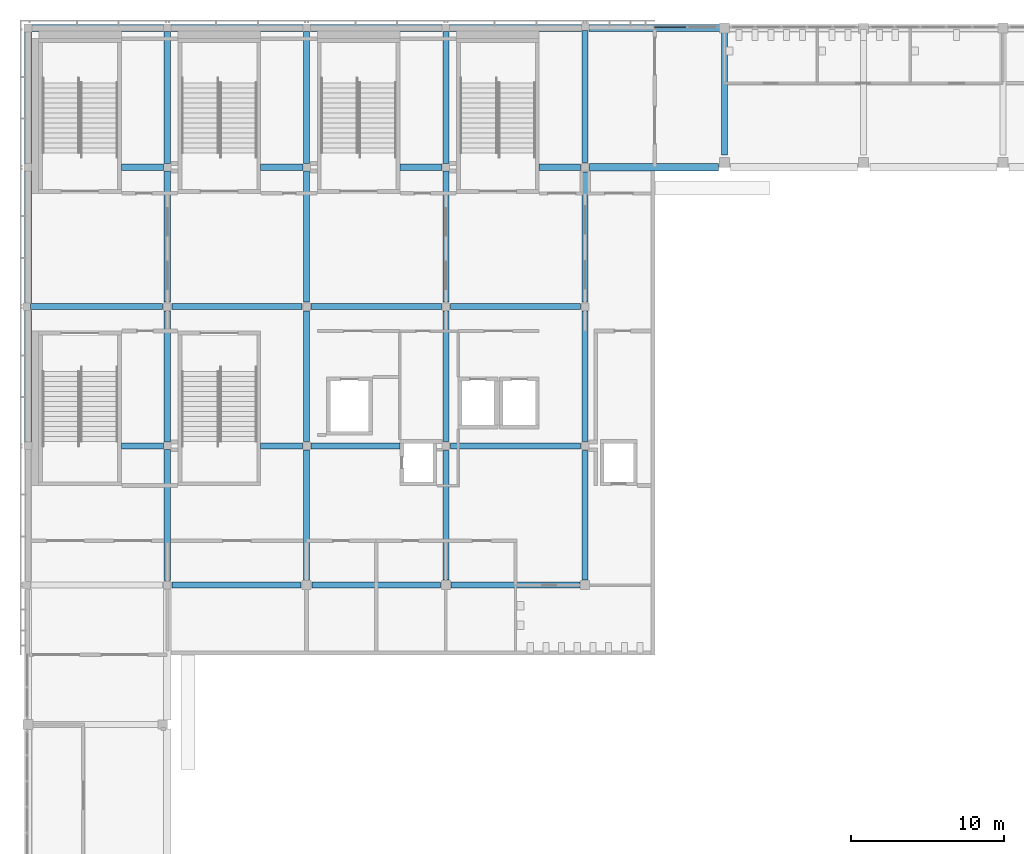
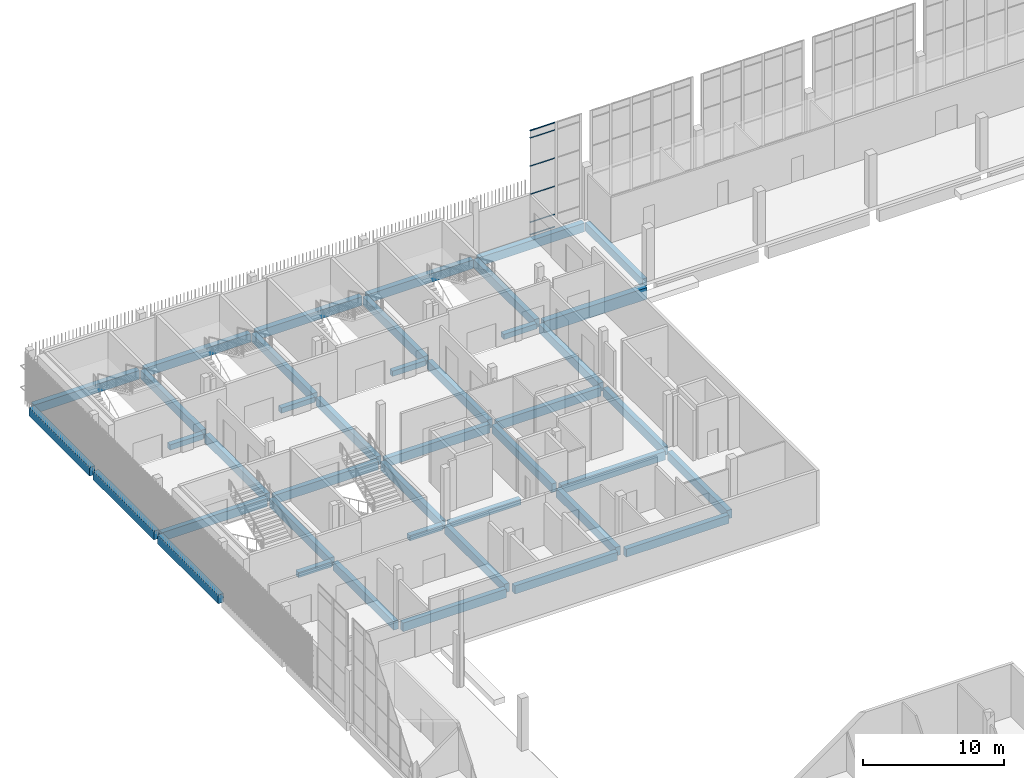
# One storey, part 17 of 91: 41 beams, 6 members, 1 element without a shape of its own.
"""IFC4 building model written with IfcOpenShell, lengths in metres."""

from ifc_helpers import new_model, si_unit, direction, frame, origin, origin_2d, place, context, subcontext, project, spatial, rectangle, hollow_rectangle, extrude, material, layer, layer_set, material_profile, profile_set, type_object, element, aggregate, save


model = new_model("IFC4")

# Units and contexts
model_context = context("Model", 3, precision=1e-05, world=origin(), true_north=direction((0.0, 1.0)))
body_context = subcontext(model_context, "Body", "Model", "MODEL_VIEW")
ifc_project = project(units=[si_unit("LENGTHUNIT", "METRE"), si_unit("AREAUNIT", "SQUARE_METRE"), si_unit("VOLUMEUNIT", "CUBIC_METRE"), si_unit("PLANEANGLEUNIT", "RADIAN"), si_unit("MASSUNIT", "GRAM", prefix="KILO")], contexts=[model_context])

# Site, building, storey
site_placement = place(None, origin())
site = spatial("IfcSite", under=ifc_project, at=site_placement, CompositionType="ELEMENT")
building_placement = place(site_placement, origin())
building = spatial("IfcBuilding", under=site, at=building_placement, Name="Shirokan Park Arena", CompositionType="ELEMENT")
storey_placement = place(building_placement, frame((0.0, 0.0, 24.570068359375)))
storey = spatial("IfcBuildingStorey", under=building, at=storey_placement, Name="L05", CompositionType="ELEMENT", Elevation=24.570068359375)

# Beams
ifc_material_1 = material(Name="Concrete C35", Category="concrete")
ifc_material_profile_1 = material_profile(ifc_material_1, rectangle(XDim=0.39990234375, YDim=0.5, at=origin_2d()), Name="400x500")
ifc_profile_set_1 = profile_set([ifc_material_profile_1], Name="Concrete C35")
beam_type_1 = type_object("IfcBeamType", Name="RC girder 400x500", PredefinedType="BEAM", material=ifc_profile_set_1)
beam_1_placement = place(storey_placement, frame((18.47509765625, 81.89990234375, -0.550048828125), z_axis=(1.0, 0.0, 0.0), x_axis=(0.0, 1.0, 0.0)))
element("IfcBeam", 1, at=beam_1_placement, inside=storey, type_object=beam_type_1, Name="Girder 3K-4K L05", PredefinedType="BEAM", context=body_context, shape_type="SweptSolid", body=[
    extrude(rectangle(XDim=0.39990234375, YDim=0.5, at=origin_2d()), origin(), (0.0, 0.0, 1.0), 5.824951171875),
])
ifc_material_profile_2 = material_profile(ifc_material_1, rectangle(XDim=0.39990234375, YDim=0.699951171875, at=origin_2d()), Name="400x700")
ifc_profile_set_2 = profile_set([ifc_material_profile_2], Name="Concrete C35")
beam_type_2 = type_object("IfcBeamType", Name="RC girder 400x700", PredefinedType="BEAM", material=ifc_profile_set_2)
beam_2_placement = place(storey_placement, frame((18.550048828125, 72.800048828125, -0.650146484375), z_axis=(1.0, 0.0, 0.0), x_axis=(0.0, 1.0, 0.0)))
element("IfcBeam", 2, at=beam_2_placement, inside=storey, type_object=beam_type_2, Name="Girder 3J-4J L05", PredefinedType="BEAM", context=body_context, shape_type="SweptSolid", body=[
    extrude(rectangle(XDim=0.39990234375, YDim=0.699951171875, at=origin_2d()), origin(), (0.0, 0.0, 1.0), 8.39990234375),
])
beam_3_placement = place(storey_placement, frame((27.650146484375, 72.800048828125, -0.650146484375), z_axis=(1.0, 0.0, 0.0), x_axis=(0.0, 1.0, 0.0)))
element("IfcBeam", 3, at=beam_3_placement, inside=storey, type_object=beam_type_2, Name="Girder 4J-5J L05", PredefinedType="BEAM", context=body_context, shape_type="SweptSolid", body=[
    extrude(rectangle(XDim=0.39990234375, YDim=0.699951171875, at=origin_2d()), origin(), (0.0, 0.0, 1.0), 8.399658203125),
])
beam_4_placement = place(storey_placement, frame((45.5, 100.900146484375, -0.650146484375), z_axis=(0.0, 1.0, 0.0), x_axis=(-1.0, 0.0, 0.0)))
element("IfcBeam", 4, at=beam_4_placement, inside=storey, type_object=beam_type_2, Name="Girder 6M-6N L05", PredefinedType="BEAM", context=body_context, shape_type="SweptSolid", body=[
    extrude(rectangle(XDim=0.39990234375, YDim=0.699951171875, at=origin_2d()), origin(), (0.0, 0.0, 1.0), 8.124755859375),
])
ifc_material_profile_3 = material_profile(ifc_material_1, rectangle(XDim=0.39990234375, YDim=0.75, at=origin_2d()), Name="400x750")
ifc_profile_set_3 = profile_set([ifc_material_profile_3], Name="Concrete C35")
beam_type_3 = type_object("IfcBeamType", Name="RC girder 400x750", PredefinedType="BEAM", material=ifc_profile_set_3)
beam_5_placement = place(storey_placement, frame((0.175048828125, 91.0, -0.675048828125), z_axis=(1.0, 0.0, 0.0), x_axis=(0.0, 1.0, 0.0)))
element("IfcBeam", 5, at=beam_5_placement, inside=storey, type_object=beam_type_3, Name="Girder 1L-2L L05", PredefinedType="BEAM", context=body_context, shape_type="SweptSolid", body=[
    extrude(rectangle(XDim=0.39990234375, YDim=0.75, at=origin_2d()), origin(), (0.0, 0.0, 1.0), 8.624755859375),
])
beam_6_placement = place(storey_placement, frame((9.400146484375, 72.800048828125, -0.675048828125), z_axis=(1.0, 0.0, 0.0), x_axis=(0.0, 1.0, 0.0)))
element("IfcBeam", 6, at=beam_6_placement, inside=storey, type_object=beam_type_3, Name="Girder 2J-3J L05", PredefinedType="BEAM", context=body_context, shape_type="SweptSolid", body=[
    extrude(rectangle(XDim=0.39990234375, YDim=0.75, at=origin_2d()), origin(), (0.0, 0.0, 1.0), 8.44970703125),
])
beam_7_placement = place(storey_placement, frame((9.400146484375, 91.0, -0.675048828125), z_axis=(1.0, 0.0, 0.0), x_axis=(0.0, 1.0, 0.0)))
element("IfcBeam", 7, at=beam_7_placement, inside=storey, type_object=beam_type_3, Name="Girder 2L-3L L05", PredefinedType="BEAM", context=body_context, shape_type="SweptSolid", body=[
    extrude(rectangle(XDim=0.39990234375, YDim=0.75, at=origin_2d()), origin(), (0.0, 0.0, 1.0), 8.499755859375),
])
beam_8_placement = place(storey_placement, frame((18.5, 91.0, -0.675048828125), z_axis=(1.0, 0.0, 0.0), x_axis=(0.0, 1.0, 0.0)))
element("IfcBeam", 8, at=beam_8_placement, inside=storey, type_object=beam_type_3, Name="Girder 3L-4L L05", PredefinedType="BEAM", context=body_context, shape_type="SweptSolid", body=[
    extrude(rectangle(XDim=0.39990234375, YDim=0.75, at=origin_2d()), origin(), (0.0, 0.0, 1.0), 8.5),
])
for number, where, z_axis, x_axis, name in (
    (9, (27.60009765625, 81.89990234375, -0.675048828125), (1.0, 0.0, 0.0), (0.0, 1.0, 0.0), "Girder 4K-5K L05"),
    (10, (27.60009765625, 91.0, -0.675048828125), (1.0, 0.0, 0.0), (0.0, 1.0, 0.0), "Girder 4L-5L L05"),
):
    element("IfcBeam", number, at=place(storey_placement, frame(where, z_axis=z_axis, x_axis=x_axis)), inside=storey, type_object=beam_type_3, Name=name, PredefinedType="BEAM", context=body_context, shape_type="SweptSolid", body=[
        extrude(rectangle(XDim=0.39990234375, YDim=0.75, at=origin_2d()), origin(), (0.0, 0.0, 1.0), 8.499755859375),
    ])
for number, where, z_axis, x_axis, name in (
    (11, (9.10009765625, 73.10009765625, -0.675048828125), (0.0, 1.0, 0.0), (-1.0, 0.0, 0.0), "Girder 2J-2K L05"),
    (12, (9.10009765625, 82.150146484375, -0.675048828125), (0.0, 1.0, 0.0), (-1.0, 0.0, 0.0), "Girder 2K-2L L05"),
    (13, (9.10009765625, 91.300048828125, -0.675048828125), (0.0, 1.0, 0.0), (-1.0, 0.0, 0.0), "Girder 2L-2M L05"),
):
    element("IfcBeam", number, at=place(storey_placement, frame(where, z_axis=z_axis, x_axis=x_axis)), inside=storey, type_object=beam_type_3, Name=name, PredefinedType="BEAM", context=body_context, shape_type="SweptSolid", body=[
        extrude(rectangle(XDim=0.39990234375, YDim=0.75, at=origin_2d()), origin(), (0.0, 0.0, 1.0), 8.5498046875),
    ])
beam_9_placement = place(storey_placement, frame((9.10009765625, 100.35009765625, -0.675048828125), z_axis=(0.0, 1.0, 0.0), x_axis=(-1.0, 0.0, 0.0)))
element("IfcBeam", 14, at=beam_9_placement, inside=storey, type_object=beam_type_3, Name="Girder 2M-2N L05", PredefinedType="BEAM", context=body_context, shape_type="SweptSolid", body=[
    extrude(rectangle(XDim=0.39990234375, YDim=0.75, at=origin_2d()), origin(), (0.0, 0.0, 1.0), 8.624755859375),
])
beam_10_placement = place(storey_placement, frame((18.199951171875, 73.150146484375, -0.675048828125), z_axis=(0.0, 1.0, 0.0), x_axis=(-1.0, 0.0, 0.0)))
element("IfcBeam", 15, at=beam_10_placement, inside=storey, type_object=beam_type_3, Name="Girder 3J-3K L05", PredefinedType="BEAM", context=body_context, shape_type="SweptSolid", body=[
    extrude(rectangle(XDim=0.39990234375, YDim=0.75, at=origin_2d()), origin(), (0.0, 0.0, 1.0), 8.474853515625),
])
beam_11_placement = place(storey_placement, frame((18.199951171875, 82.175048828125, -0.675048828125), z_axis=(0.0, 1.0, 0.0), x_axis=(-1.0, 0.0, 0.0)))
element("IfcBeam", 16, at=beam_11_placement, inside=storey, type_object=beam_type_3, Name="Girder 3K-3L L05", PredefinedType="BEAM", context=body_context, shape_type="SweptSolid", body=[
    extrude(rectangle(XDim=0.39990234375, YDim=0.75, at=origin_2d()), origin(), (0.0, 0.0, 1.0), 8.52490234375),
])
beam_12_placement = place(storey_placement, frame((18.199951171875, 91.300048828125, -0.675048828125), z_axis=(0.0, 1.0, 0.0), x_axis=(-1.0, 0.0, 0.0)))
element("IfcBeam", 17, at=beam_12_placement, inside=storey, type_object=beam_type_3, Name="Girder 3L-3M L05", PredefinedType="BEAM", context=body_context, shape_type="SweptSolid", body=[
    extrude(rectangle(XDim=0.39990234375, YDim=0.75, at=origin_2d()), origin(), (0.0, 0.0, 1.0), 8.5498046875),
])
beam_13_placement = place(storey_placement, frame((18.199951171875, 100.35009765625, -0.675048828125), z_axis=(0.0, 1.0, 0.0), x_axis=(-1.0, 0.0, 0.0)))
element("IfcBeam", 18, at=beam_13_placement, inside=storey, type_object=beam_type_3, Name="Girder 3M-3N L05", PredefinedType="BEAM", context=body_context, shape_type="SweptSolid", body=[
    extrude(rectangle(XDim=0.39990234375, YDim=0.75, at=origin_2d()), origin(), (0.0, 0.0, 1.0), 8.624755859375),
])
beam_14_placement = place(storey_placement, frame((27.300048828125, 73.150146484375, -0.675048828125), z_axis=(0.0, 1.0, 0.0), x_axis=(-1.0, 0.0, 0.0)))
element("IfcBeam", 19, at=beam_14_placement, inside=storey, type_object=beam_type_3, Name="Girder 4J-4K L05", PredefinedType="BEAM", context=body_context, shape_type="SweptSolid", body=[
    extrude(rectangle(XDim=0.39990234375, YDim=0.75, at=origin_2d()), origin(), (0.0, 0.0, 1.0), 8.44970703125),
])
beam_15_placement = place(storey_placement, frame((27.300048828125, 82.2001953125, -0.675048828125), z_axis=(0.0, 1.0, 0.0), x_axis=(-1.0, 0.0, 0.0)))
element("IfcBeam", 20, at=beam_15_placement, inside=storey, type_object=beam_type_3, Name="Girder 4K-4L L05", PredefinedType="BEAM", context=body_context, shape_type="SweptSolid", body=[
    extrude(rectangle(XDim=0.39990234375, YDim=0.75, at=origin_2d()), origin(), (0.0, 0.0, 1.0), 8.499755859375),
])
beam_16_placement = place(storey_placement, frame((27.300048828125, 91.300048828125, -0.675048828125), z_axis=(0.0, 1.0, 0.0), x_axis=(-1.0, 0.0, 0.0)))
element("IfcBeam", 21, at=beam_16_placement, inside=storey, type_object=beam_type_3, Name="Girder 4L-4M L05", PredefinedType="BEAM", context=body_context, shape_type="SweptSolid", body=[
    extrude(rectangle(XDim=0.39990234375, YDim=0.75, at=origin_2d()), origin(), (0.0, 0.0, 1.0), 8.5498046875),
])
beam_17_placement = place(storey_placement, frame((27.300048828125, 100.35009765625, -0.675048828125), z_axis=(0.0, 1.0, 0.0), x_axis=(-1.0, 0.0, 0.0)))
element("IfcBeam", 22, at=beam_17_placement, inside=storey, type_object=beam_type_3, Name="Girder 4M-4N L05", PredefinedType="BEAM", context=body_context, shape_type="SweptSolid", body=[
    extrude(rectangle(XDim=0.39990234375, YDim=0.75, at=origin_2d()), origin(), (0.0, 0.0, 1.0), 8.624755859375),
])
beam_18_placement = place(storey_placement, frame((36.39990234375, 73.150146484375, -0.675048828125), z_axis=(0.0, 1.0, 0.0), x_axis=(-1.0, 0.0, 0.0)))
element("IfcBeam", 23, at=beam_18_placement, inside=storey, type_object=beam_type_3, Name="Girder 5J-5K L05", PredefinedType="BEAM", context=body_context, shape_type="SweptSolid", body=[
    extrude(rectangle(XDim=0.39990234375, YDim=0.75, at=origin_2d()), origin(), (0.0, 0.0, 1.0), 8.44970703125),
])
for number, where, z_axis, x_axis, name in (
    (24, (36.39990234375, 82.2001953125, -0.675048828125), (0.0, 1.0, 0.0), (-1.0, 0.0, 0.0), "Girder 5K-5L L05"),
    (25, (36.39990234375, 91.300048828125, -0.675048828125), (0.0, 1.0, 0.0), (-1.0, 0.0, 0.0), "Girder 5L-5M L05"),
):
    element("IfcBeam", number, at=place(storey_placement, frame(where, z_axis=z_axis, x_axis=x_axis)), inside=storey, type_object=beam_type_3, Name=name, PredefinedType="BEAM", context=body_context, shape_type="SweptSolid", body=[
        extrude(rectangle(XDim=0.39990234375, YDim=0.75, at=origin_2d()), origin(), (0.0, 0.0, 1.0), 8.499755859375),
    ])
beam_19_placement = place(storey_placement, frame((36.39990234375, 100.400146484375, -0.675048828125), z_axis=(0.0, 1.0, 0.0), x_axis=(-1.0, 0.0, 0.0)))
element("IfcBeam", 26, at=beam_19_placement, inside=storey, type_object=beam_type_3, Name="Girder 5M-5N L05", PredefinedType="BEAM", context=body_context, shape_type="SweptSolid", body=[
    extrude(rectangle(XDim=0.39990234375, YDim=0.75, at=origin_2d()), origin(), (0.0, 0.0, 1.0), 8.649658203125),
])
ifc_material_profile_4 = material_profile(ifc_material_1, rectangle(XDim=0.449951171875, YDim=0.75, at=origin_2d()), Name="450x750")
ifc_profile_set_4 = profile_set([ifc_material_profile_4], Name="Concrete C35")
beam_type_4 = type_object("IfcBeamType", Name="RC girder 450x750", PredefinedType="BEAM", material=ifc_profile_set_4)
for number, where, z_axis, x_axis, name in (
    (27, (0.25, 109.199951171875, -0.675048828125), (1.0, 0.0, 0.0), (0.0, 1.0, 0.0), "Girder 1N-2N L05"),
    (28, (9.35009765625, 109.199951171875, -0.675048828125), (1.0, 0.0, 0.0), (0.0, 1.0, 0.0), "Girder 2N-3N L05"),
):
    element("IfcBeam", number, at=place(storey_placement, frame(where, z_axis=z_axis, x_axis=x_axis)), inside=storey, type_object=beam_type_4, Name=name, PredefinedType="BEAM", context=body_context, shape_type="SweptSolid", body=[
        extrude(rectangle(XDim=0.449951171875, YDim=0.75, at=origin_2d()), origin(), (0.0, 0.0, 1.0), 8.599853515625),
    ])
beam_20_placement = place(storey_placement, frame((18.4501953125, 109.199951171875, -0.675048828125), z_axis=(1.0, 0.0, 0.0), x_axis=(0.0, 1.0, 0.0)))
element("IfcBeam", 29, at=beam_20_placement, inside=storey, type_object=beam_type_4, Name="Girder 3N-4N L05", PredefinedType="BEAM", context=body_context, shape_type="SweptSolid", body=[
    extrude(rectangle(XDim=0.449951171875, YDim=0.75, at=origin_2d()), origin(), (0.0, 0.0, 1.0), 8.599609375),
])
for number, where, z_axis, x_axis, name in (
    (30, (27.550048828125, 109.199951171875, -0.675048828125), (1.0, 0.0, 0.0), (0.0, 1.0, 0.0), "Girder 4N-5N L05"),
    (31, (36.650146484375, 109.199951171875, -0.675048828125), (1.0, 0.0, 0.0), (0.0, 1.0, 0.0), "Girder 5N-6N L05"),
    (32, (0.0, 82.150146484375, -0.675048828125), (0.0, 1.0, 0.0), (-1.0, 0.0, 0.0), "Girder 1K-1L L05"),
    (33, (0.0, 91.25, -0.675048828125), (0.0, 1.0, 0.0), (-1.0, 0.0, 0.0), "Girder 1L-1M L05"),
    (34, (0.0, 100.35009765625, -0.675048828125), (0.0, 1.0, 0.0), (-1.0, 0.0, 0.0), "Girder 1M-1N L05"),
):
    element("IfcBeam", number, at=place(storey_placement, frame(where, z_axis=z_axis, x_axis=x_axis)), inside=storey, type_object=beam_type_4, Name=name, PredefinedType="BEAM", context=body_context, shape_type="SweptSolid", body=[
        extrude(rectangle(XDim=0.449951171875, YDim=0.75, at=origin_2d()), origin(), (0.0, 0.0, 1.0), 8.599853515625),
    ])
ifc_material_profile_5 = material_profile(ifc_material_1, rectangle(XDim=0.5, YDim=1.0, at=origin_2d()), Name="500x1000")
ifc_profile_set_5 = profile_set([ifc_material_profile_5], Name="Concrete C35")
beam_type_5 = type_object("IfcBeamType", Name="RC girder 500x1000", PredefinedType="BEAM", material=ifc_profile_set_5)
beam_21_placement = place(storey_placement, frame((36.7001953125, 100.10009765625, -0.800048828125), z_axis=(1.0, 0.0, 0.0), x_axis=(0.0, 1.0, 0.0)))
element("IfcBeam", 35, at=beam_21_placement, inside=storey, type_object=beam_type_5, Name="Girder 5M-6M L05", PredefinedType="BEAM", context=body_context, shape_type="SweptSolid", body=[
    extrude(rectangle(XDim=0.5, YDim=1.0, at=origin_2d()), origin(), (0.0, 0.0, 1.0), 8.399658203125),
])
ifc_material_profile_6 = material_profile(ifc_material_1, rectangle(XDim=0.39990234375, YDim=0.449951171875, at=origin_2d()), Name="400x450")
ifc_profile_set_6 = profile_set([ifc_material_profile_6], Name="Concrete C35")
beam_type_6 = type_object("IfcBeamType", Name="RC trimmer 400x450", PredefinedType="BEAM", material=ifc_profile_set_6)
for number, where, z_axis, x_axis, name in (
    (36, (6.10009765625, 81.89990234375, -0.525146484375), (1.0, 0.0, 0.0), (0.0, 1.0, 0.0), "Girder 1K-2K L05"),
    (37, (6.10009765625, 100.10009765625, -0.525146484375), (1.0, 0.0, 0.0), (0.0, 1.0, 0.0), "Girder 1M-2M L05"),
):
    element("IfcBeam", number, at=place(storey_placement, frame(where, z_axis=z_axis, x_axis=x_axis)), inside=storey, type_object=beam_type_6, Name=name, PredefinedType="BEAM", context=body_context, shape_type="SweptSolid", body=[
        extrude(rectangle(XDim=0.39990234375, YDim=0.449951171875, at=origin_2d()), origin(), (0.0, 0.0, 1.0), 2.749755859375),
    ])
beam_22_placement = place(storey_placement, frame((15.199951171875, 81.89990234375, -0.525146484375), z_axis=(1.0, 0.0, 0.0), x_axis=(0.0, 1.0, 0.0)))
element("IfcBeam", 38, at=beam_22_placement, inside=storey, type_object=beam_type_6, Name="Girder 2K-3K L05", PredefinedType="BEAM", context=body_context, shape_type="SweptSolid", body=[
    extrude(rectangle(XDim=0.39990234375, YDim=0.449951171875, at=origin_2d()), origin(), (0.0, 0.0, 1.0), 2.724853515625),
])
beam_23_placement = place(storey_placement, frame((15.199951171875, 100.10009765625, -0.525146484375), z_axis=(1.0, 0.0, 0.0), x_axis=(0.0, 1.0, 0.0)))
element("IfcBeam", 39, at=beam_23_placement, inside=storey, type_object=beam_type_6, Name="Girder 2M-3M L05", PredefinedType="BEAM", context=body_context, shape_type="SweptSolid", body=[
    extrude(rectangle(XDim=0.39990234375, YDim=0.449951171875, at=origin_2d()), origin(), (0.0, 0.0, 1.0), 2.75),
])
beam_24_placement = place(storey_placement, frame((24.300048828125, 100.10009765625, -0.525146484375), z_axis=(1.0, 0.0, 0.0), x_axis=(0.0, 1.0, 0.0)))
element("IfcBeam", 40, at=beam_24_placement, inside=storey, type_object=beam_type_6, Name="Girder 3M-4M L05", PredefinedType="BEAM", context=body_context, shape_type="SweptSolid", body=[
    extrude(rectangle(XDim=0.39990234375, YDim=0.449951171875, at=origin_2d()), origin(), (0.0, 0.0, 1.0), 2.749755859375),
])
beam_25_placement = place(storey_placement, frame((33.39990234375, 100.10009765625, -0.525146484375), z_axis=(1.0, 0.0, 0.0), x_axis=(0.0, 1.0, 0.0)))
element("IfcBeam", 41, at=beam_25_placement, inside=storey, type_object=beam_type_6, Name="Girder 4M-5M L05", PredefinedType="BEAM", context=body_context, shape_type="SweptSolid", body=[
    extrude(rectangle(XDim=0.39990234375, YDim=0.449951171875, at=origin_2d()), origin(), (0.0, 0.0, 1.0), 2.699951171875),
])

# Curtain wall, members
ifc_material_2 = material(Name="Steel and glass curtain wall", Category="steel")
ifc_layer = layer(ifc_material_2, 0.199951171875)
ifc_layer_set = layer_set([ifc_layer], Name="Steel and glass curtain wall 200 mm")
curtain_wall_type = type_object("IfcCurtainWallType", Name="Curtain wall hall bay 200", PredefinedType="NOTDEFINED", material=ifc_layer_set)
curtain_wall_placement = place(storey_placement, origin())
curtain_wall = element("IfcCurtainWall", 42, at=curtain_wall_placement, inside=storey, type_object=curtain_wall_type, Name="Curtain wall north bay 12 L05", PredefinedType="NOTDEFINED")
ifc_material_3 = material(Name="Steel S355", Category="steel")
ifc_material_profile_7 = material_profile(ifc_material_3, hollow_rectangle(XDim=0.06005859375, YDim=0.0400390625, WallThickness=0.00390625, at=origin_2d()), Name="RHS 60x40x4")
ifc_profile_set_7 = profile_set([ifc_material_profile_7], Name="Steel S355")
member_type = type_object("IfcMemberType", Name="Transom RHS 60x40x4", PredefinedType="MULLION", material=ifc_profile_set_7)
member_1_placement = place(storey_placement, frame((42.96240234375, 109.25, 0.02001953125), z_axis=(-1.0, 0.0, 0.0), x_axis=(0.0, -1.0, 0.0)))
member_1 = element("IfcMember", 43, at=member_1_placement, type_object=member_type, Name="CW5 transom 2.1", PredefinedType="MULLION", context=body_context, shape_type="SweptSolid", body=[
    extrude(hollow_rectangle(XDim=0.06005859375, YDim=0.0400390625, WallThickness=0.00390625, at=origin_2d()), origin(), (0.0, 0.0, 1.0), 2.012451171875),
])
member_2_placement = place(storey_placement, frame((42.96240234375, 109.25, 1.099853515625), z_axis=(-1.0, 0.0, 0.0), x_axis=(0.0, -1.0, 0.0)))
member_2 = element("IfcMember", 44, at=member_2_placement, type_object=member_type, Name="CW5 transom 2.2", PredefinedType="MULLION", context=body_context, shape_type="SweptSolid", body=[
    extrude(hollow_rectangle(XDim=0.06005859375, YDim=0.0400390625, WallThickness=0.00390625, at=origin_2d()), origin(), (0.0, 0.0, 1.0), 2.012451171875),
])
member_3_placement = place(storey_placement, frame((42.96240234375, 109.25, 3.533203125), z_axis=(-1.0, 0.0, 0.0), x_axis=(0.0, -1.0, 0.0)))
member_3 = element("IfcMember", 45, at=member_3_placement, type_object=member_type, Name="CW5 transom 2.3", PredefinedType="MULLION", context=body_context, shape_type="SweptSolid", body=[
    extrude(hollow_rectangle(XDim=0.06005859375, YDim=0.0400390625, WallThickness=0.00390625, at=origin_2d()), origin(), (0.0, 0.0, 1.0), 2.012451171875),
])
member_4_placement = place(storey_placement, frame((42.96240234375, 109.25, 5.966552734375), z_axis=(-1.0, 0.0, 0.0), x_axis=(0.0, -1.0, 0.0)))
member_4 = element("IfcMember", 46, at=member_4_placement, type_object=member_type, Name="CW5 transom 2.4", PredefinedType="MULLION", context=body_context, shape_type="SweptSolid", body=[
    extrude(hollow_rectangle(XDim=0.06005859375, YDim=0.0400390625, WallThickness=0.00390625, at=origin_2d()), origin(), (0.0, 0.0, 1.0), 2.012451171875),
])
member_5_placement = place(storey_placement, frame((42.96240234375, 109.25, 8.39990234375), z_axis=(-1.0, 0.0, 0.0), x_axis=(0.0, -1.0, 0.0)))
member_5 = element("IfcMember", 47, at=member_5_placement, type_object=member_type, Name="CW5 transom 2.5", PredefinedType="MULLION", context=body_context, shape_type="SweptSolid", body=[
    extrude(hollow_rectangle(XDim=0.06005859375, YDim=0.0400390625, WallThickness=0.00390625, at=origin_2d()), origin(), (0.0, 0.0, 1.0), 2.012451171875),
])
member_6_placement = place(storey_placement, frame((42.96240234375, 109.25, 9.030029296875), z_axis=(-1.0, 0.0, 0.0), x_axis=(0.0, -1.0, 0.0)))
member_6 = element("IfcMember", 48, at=member_6_placement, type_object=member_type, Name="CW5 transom 2.6", PredefinedType="MULLION", context=body_context, shape_type="SweptSolid", body=[
    extrude(hollow_rectangle(XDim=0.06005859375, YDim=0.0400390625, WallThickness=0.00390625, at=origin_2d()), origin(), (0.0, 0.0, 1.0), 2.012451171875),
])
aggregate(curtain_wall, [member_1, member_2, member_3, member_4, member_5, member_6])

save(model, "model.ifc")
